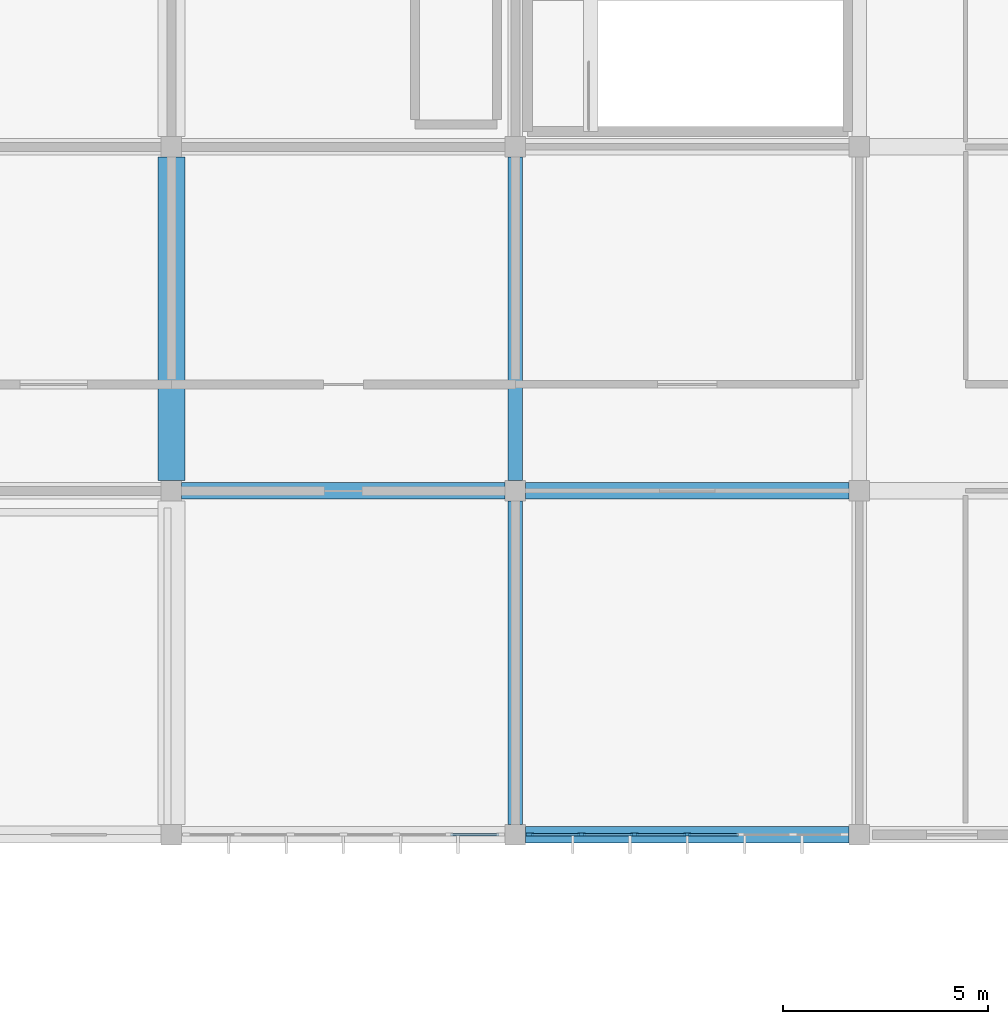
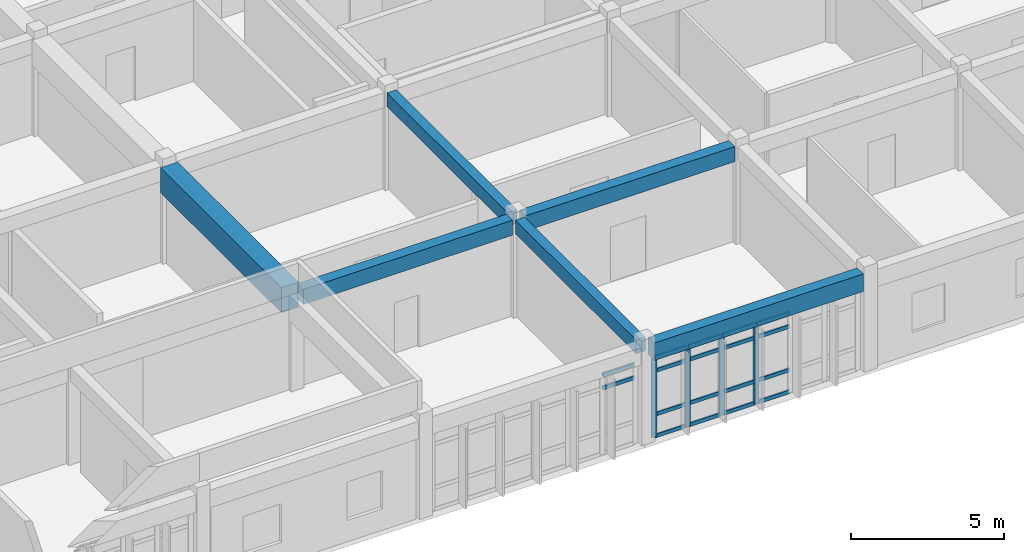
# One storey, part 6 of 119: 22 members, 6 beams, 2 elements without a shape of their own.
"""IFC4 building model written with IfcOpenShell, lengths in metres."""

import ifcopenshell
import ifcopenshell.guid

model = None  # the IFC model being written
_history = None  # IfcOwnerHistory: only IFC2X3 demands one
_inside = {}  # id of a spatial element -> (the spatial element, [elements in it])
_under = {}  # id of a project, library or spatial element -> (it, [spatial elements below it])
_declared = {}  # id of a project -> (the project, [libraries it declares])
_typed = {}  # id of a type object -> (the type object, [elements of that type])
_made_of = {}  # id of a material, layer set ... -> (it, [elements and type objects made of it])


def new_model(schema):
    """Start an empty IFC model of exactly this schema.

    Asked for "IFC4X3", IfcOpenShell would pick the latest addendum, in which some entities
    have other attributes; the version numbers below select the first issue.
    IFC2X3 requires an IfcOwnerHistory on every rooted entity: one is made here for all.
    """
    global model, _history
    if schema == "IFC4X3":
        model = ifcopenshell.file(schema_version=(4, 3, 0, 0))
    else:
        model = ifcopenshell.file(schema=schema)
    _inside.clear()
    _under.clear()
    _declared.clear()
    _typed.clear()
    _made_of.clear()
    _history = None
    if model.schema == "IFC2X3":
        org = make("IfcOrganization", Name="unknown")
        user = make(
            "IfcPersonAndOrganization",
            ThePerson=make("IfcPerson", FamilyName="unknown"),
            TheOrganization=org,
        )
        app = make(
            "IfcApplication",
            ApplicationDeveloper=org,
            Version="unknown",
            ApplicationFullName="unknown",
            ApplicationIdentifier="unknown",
        )
        _history = make(
            "IfcOwnerHistory",
            OwningUser=user,
            OwningApplication=app,
            ChangeAction="ADDED",
            CreationDate=0,
        )
    return model


def make(cls, **values):
    """One entity of the class cls with the attributes given. An attribute that is None is left unset."""
    return model.create_entity(
        cls, **{name: value for name, value in values.items() if value is not None}
    )


def rooted(cls, **values):
    """An entity with a GlobalId (a new one), such as an element, a storey or a relation."""
    return make(cls, GlobalId=ifcopenshell.guid.new(), OwnerHistory=_history, **values)


def si_unit(unit_type, name, prefix=None):
    """IfcSIUnit, for example si_unit("LENGTHUNIT", "METRE", prefix="MILLI")."""
    return make("IfcSIUnit", UnitType=unit_type, Prefix=prefix, Name=name)


def assignment(units):
    """IfcUnitAssignment: the units of a project."""
    return None if units is None else make("IfcUnitAssignment", Units=units)


def point(xyz):
    """IfcCartesianPoint."""
    return None if xyz is None else make("IfcCartesianPoint", Coordinates=xyz)


def direction(xyz):
    """IfcDirection."""
    return None if xyz is None else make("IfcDirection", DirectionRatios=xyz)


def frame(location, z_axis=None, x_axis=None):
    """IfcAxis2Placement3D, a coordinate frame: its origin and axes. An axis left out is left unset."""
    return make(
        "IfcAxis2Placement3D",
        Location=point(location),
        Axis=direction(z_axis),
        RefDirection=direction(x_axis),
    )


def frame_2d(location, x_axis=None):
    """IfcAxis2Placement2D, a coordinate frame in the plane: its origin and x axis."""
    return make(
        "IfcAxis2Placement2D", Location=point(location), RefDirection=direction(x_axis)
    )


def origin():
    """The frame at (0, 0, 0) with its axes left unset."""
    return frame((0.0, 0.0, 0.0))


def origin_2d():
    """The frame at (0, 0) in the plane with its x axis left unset."""
    return frame_2d((0.0, 0.0))


def place(relative_to, where):
    """IfcLocalPlacement: puts the frame where relative to a parent placement (None: the world)."""
    return make(
        "IfcLocalPlacement", PlacementRelTo=relative_to, RelativePlacement=where
    )


def context(
    kind, dimensions, precision=None, world=None, true_north=None, identifier=None
):
    """IfcGeometricRepresentationContext, for example the 3D "Model" context."""
    return make(
        "IfcGeometricRepresentationContext",
        ContextIdentifier=identifier,
        ContextType=kind,
        CoordinateSpaceDimension=dimensions,
        Precision=precision,
        WorldCoordinateSystem=world,
        TrueNorth=true_north,
    )


def subcontext(parent, identifier, kind, view, scale=None):
    """IfcGeometricRepresentationSubContext, for example "Body" below "Model"."""
    return make(
        "IfcGeometricRepresentationSubContext",
        ContextIdentifier=identifier,
        ContextType=kind,
        ParentContext=parent,
        TargetScale=scale,
        TargetView=view,
    )


def project(units=None, contexts=None):
    """IfcProject with its units and contexts."""
    return rooted(
        "IfcProject",
        Name="project",
        RepresentationContexts=contexts,
        UnitsInContext=assignment(units),
    )


def spatial(cls, under=None, at=None, **own):
    """A site, building, storey or space (cls), placed at a placement, below another one or the project."""
    s = rooted(cls, ObjectPlacement=at, **own)
    if under is not None:
        _under.setdefault(under.id(), (under, []))[1].append(s)
    return s


def profile(cls, at=None, kind="AREA", **sizes):
    """A parametric profile (cls). Its sizes go by their IFC names, for example OverallWidth=200.0."""
    return make(cls, ProfileType=kind, Position=at, **sizes)


def rectangle(**sizes):
    """IfcRectangleProfileDef."""
    return profile("IfcRectangleProfileDef", **sizes)


def extrude(swept, where, along, depth):
    """IfcExtrudedAreaSolid: the profile swept, set in the frame where, extruded along a direction by depth."""
    return make(
        "IfcExtrudedAreaSolid",
        SweptArea=swept,
        Position=where,
        ExtrudedDirection=direction(along),
        Depth=depth,
    )


def shape(context_of_items, identifier, shape_type, items):
    """IfcShapeRepresentation: the items that make up one representation, for example the "Body"."""
    return make(
        "IfcShapeRepresentation",
        ContextOfItems=context_of_items,
        RepresentationIdentifier=identifier,
        RepresentationType=shape_type,
        Items=items,
    )


def material(Name=None, Category=None):
    """IfcMaterial."""
    return make("IfcMaterial", Name=Name, Category=Category)


def layer(
    of_material, thickness, ventilated=None, Name=None, Category=None, Priority=None
):
    """IfcMaterialLayer: one layer of a wall or slab, of a material (None: an air gap)."""
    return make(
        "IfcMaterialLayer",
        Material=of_material,
        LayerThickness=thickness,
        IsVentilated=ventilated,
        Name=Name,
        Category=Category,
        Priority=Priority,
    )


def layer_set(layers, Name=None):
    """IfcMaterialLayerSet."""
    return make("IfcMaterialLayerSet", MaterialLayers=layers, LayerSetName=Name)


def material_profile(
    of_material, cross_section, Name=None, Category=None, Priority=None
):
    """IfcMaterialProfile: a cross section and its material."""
    return make(
        "IfcMaterialProfile",
        Name=Name,
        Material=of_material,
        Profile=cross_section,
        Priority=Priority,
        Category=Category,
    )


def profile_set(profiles, Name=None, composite=None):
    """IfcMaterialProfileSet."""
    return make(
        "IfcMaterialProfileSet",
        Name=Name,
        MaterialProfiles=profiles,
        CompositeProfile=composite,
    )


def made_of(thing, what):
    """Note that an element or type object is made of a material, layer set ...; save() writes the relation."""
    if what is not None:
        _made_of.setdefault(what.id(), (what, []))[1].append(thing)
    return thing


def type_object(cls, material=None, **own):
    """A type object (cls), such as IfcWallType, which elements share."""
    return made_of(rooted(cls, **own), material)


def element(
    cls,
    number,
    at=None,
    inside=None,
    cuts=None,
    type_object=None,
    material=None,
    context=None,
    identifier="Body",
    shape_type=None,
    held_by="IfcProductDefinitionShape",
    body=None,
    shapes=None,
    **own,
):
    """One element of the class cls, such as IfcWall. Its Tag is "e" and its number.

    at: its placement. inside: the storey or other place that contains it. cuts: it is an
    opening in that element (IfcRelVoidsElement). A single representation is given by context,
    identifier, shape_type and body (its items); several are given by shapes. held_by: the class
    of the entity that holds the representations. save() writes the other relations.
    """
    e = rooted(cls, Tag="e%d" % number, ObjectPlacement=at, **own)
    if body is not None:
        shapes = [shape(context, identifier, shape_type, body)]
    if shapes is not None:
        e.Representation = make(held_by, Representations=shapes)
    if inside is not None:
        _inside.setdefault(inside.id(), (inside, []))[1].append(e)
    if cuts is not None:
        rooted(
            "IfcRelVoidsElement", RelatingBuildingElement=cuts, RelatedOpeningElement=e
        )
    if type_object is not None:
        _typed.setdefault(type_object.id(), (type_object, []))[1].append(e)
    return made_of(e, material)


def aggregate(whole, parts):
    """IfcRelAggregates: a whole, such as a stair, and the parts it consists of."""
    return rooted("IfcRelAggregates", RelatingObject=whole, RelatedObjects=parts)


def save(model, path):
    """Write the relations noted so far, then the file.

    IfcRelAggregates (storeys below a building ...), IfcRelContainedInSpatialStructure (elements
    in a storey), IfcRelDefinesByType, IfcRelAssociatesMaterial and IfcRelDeclares: one each for
    every whole, place, type object, material and project.
    """
    for whole, parts in _under.values():
        aggregate(whole, parts)
    for where, things in _inside.values():
        rooted(
            "IfcRelContainedInSpatialStructure",
            RelatedElements=things,
            RelatingStructure=where,
        )
    for kind, things in _typed.values():
        rooted("IfcRelDefinesByType", RelatedObjects=things, RelatingType=kind)
    for what, things in _made_of.values():
        rooted("IfcRelAssociatesMaterial", RelatedObjects=things, RelatingMaterial=what)
    for by, libraries in _declared.values():
        rooted("IfcRelDeclares", RelatingContext=by, RelatedDefinitions=libraries)
    model.write(path)


model = new_model("IFC4")

# Units and contexts
model_context = context("Model", 3, precision=1e-05, world=origin(), true_north=direction((0.0, 1.0)))
body_context = subcontext(model_context, "Body", "Model", "MODEL_VIEW")
ifc_project = project(units=[si_unit("LENGTHUNIT", "METRE"), si_unit("AREAUNIT", "SQUARE_METRE"), si_unit("VOLUMEUNIT", "CUBIC_METRE"), si_unit("PLANEANGLEUNIT", "RADIAN"), si_unit("MASSUNIT", "GRAM", prefix="KILO")], contexts=[model_context])

# Site, building, storey
site_placement = place(None, origin())
site = spatial("IfcSite", under=ifc_project, at=site_placement, CompositionType="ELEMENT")
building_placement = place(site_placement, origin())
building = spatial("IfcBuilding", under=site, at=building_placement, Name="Bramfleet General Hospital", CompositionType="ELEMENT")
storey_placement = place(building_placement, frame((0.0, 0.0, 14.39990234375)))
storey = spatial("IfcBuildingStorey", under=building, at=storey_placement, Name="L03", CompositionType="ELEMENT", Elevation=14.39990234375)

# Beams
ifc_material_1 = material(Name="Concrete C35/45", Category="concrete")
ifc_material_profile_1 = material_profile(ifc_material_1, rectangle(XDim=0.35009765625, YDim=0.550048828125, at=origin_2d()), Name="RC BM 550x350")
ifc_profile_set_1 = profile_set([ifc_material_profile_1], Name="Concrete C35/45")
beam_type_1 = type_object("IfcBeamType", Name="BM-RC550", PredefinedType="BEAM", material=ifc_profile_set_1)
beam_1_placement = place(storey_placement, frame((58.800048828125, 50.64990234375, 3.625), z_axis=(0.0, 1.0, 0.0), x_axis=(-1.0, 0.0, 0.0)))
element("IfcBeam", 1, at=beam_1_placement, inside=storey, type_object=beam_type_1, Name="L03 Grid Beam Y 07-06", PredefinedType="BEAM", context=body_context, shape_type="SweptSolid", body=[
    extrude(rectangle(XDim=0.35009765625, YDim=0.550048828125, at=origin_2d()), origin(), (0.0, 0.0, 1.0), 7.900146484375),
])
beam_2_placement = place(storey_placement, frame((58.800048828125, 59.050048828125, 3.614990234375), z_axis=(0.0, 1.0, 0.0), x_axis=(-1.0, 0.0, 0.0)))
element("IfcBeam", 2, at=beam_2_placement, inside=storey, type_object=beam_type_1, Name="L03 Grid Beam Y 07-07", PredefinedType="BEAM", context=body_context, shape_type="SweptSolid", body=[
    extrude(rectangle(XDim=0.35009765625, YDim=0.550048828125, at=origin_2d()), origin(), (0.0, 0.0, 1.0), 7.89990234375),
])
ifc_material_profile_2 = material_profile(ifc_material_1, rectangle(XDim=0.39990234375, YDim=0.60009765625, at=origin_2d()), Name="RC BM 600x400")
ifc_profile_set_2 = profile_set([ifc_material_profile_2], Name="Concrete C35/45")
beam_type_2 = type_object("IfcBeamType", Name="BM-RC600", PredefinedType="BEAM", material=ifc_profile_set_2)
beam_3_placement = place(storey_placement, frame((50.64990234375, 58.800048828125, 3.590087890625), z_axis=(1.0, 0.0, 0.0), x_axis=(0.0, 1.0, 0.0)))
element("IfcBeam", 3, at=beam_3_placement, inside=storey, type_object=beam_type_2, Name="L03 Grid Beam X 06-07", PredefinedType="BEAM", context=body_context, shape_type="SweptSolid", body=[
    extrude(rectangle(XDim=0.39990234375, YDim=0.60009765625, at=origin_2d()), origin(), (0.0, 0.0, 1.0), 7.900146484375),
])
beam_4_placement = place(storey_placement, frame((59.050048828125, 58.800048828125, 3.590087890625), z_axis=(1.0, 0.0, 0.0), x_axis=(0.0, 1.0, 0.0)))
element("IfcBeam", 4, at=beam_4_placement, inside=storey, type_object=beam_type_2, Name="L03 Grid Beam X 07-07", PredefinedType="BEAM", context=body_context, shape_type="SweptSolid", body=[
    extrude(rectangle(XDim=0.39990234375, YDim=0.60009765625, at=origin_2d()), origin(), (0.0, 0.0, 1.0), 7.89990234375),
])
ifc_material_profile_3 = material_profile(ifc_material_1, rectangle(XDim=0.39990234375, YDim=0.699951171875, at=origin_2d()), Name="RC SP 700x400")
ifc_profile_set_3 = profile_set([ifc_material_profile_3], Name="Concrete C35/45")
beam_type_3 = type_object("IfcBeamType", Name="BM-SP700", PredefinedType="SPANDREL", material=ifc_profile_set_3)
beam_5_placement = place(storey_placement, frame((59.050048828125, 50.39990234375, 3.550048828125), z_axis=(1.0, 0.0, 0.0), x_axis=(0.0, 1.0, 0.0)))
element("IfcBeam", 5, at=beam_5_placement, inside=storey, type_object=beam_type_3, Name="L03 Grid Beam X 07-06", PredefinedType="SPANDREL", context=body_context, shape_type="SweptSolid", body=[
    extrude(rectangle(XDim=0.39990234375, YDim=0.699951171875, at=origin_2d()), origin(), (0.0, 0.0, 1.0), 7.89990234375),
])
ifc_material_2 = material(Name="Concrete C40/50", Category="concrete")
ifc_material_profile_4 = material_profile(ifc_material_2, rectangle(XDim=0.64990234375, YDim=1.0, at=origin_2d()), Name="RC TG 1000x650")
ifc_profile_set_4 = profile_set([ifc_material_profile_4], Name="Concrete C40/50")
beam_type_4 = type_object("IfcBeamType", Name="BM-TG1000", PredefinedType="BEAM", material=ifc_profile_set_4)
beam_6_placement = place(storey_placement, frame((50.39990234375, 59.050048828125, 3.39013671875), z_axis=(0.0, 1.0, 0.0), x_axis=(-1.0, 0.0, 0.0)))
element("IfcBeam", 6, at=beam_6_placement, inside=storey, type_object=beam_type_4, Name="L03 Transfer Girder Y 06-07", PredefinedType="BEAM", context=body_context, shape_type="SweptSolid", body=[
    extrude(rectangle(XDim=0.64990234375, YDim=1.0, at=origin_2d()), origin(), (0.0, 0.0, 1.0), 7.89990234375),
])

# Curtain wall, members
ifc_material_3 = material(Name="Anodised aluminium and low-E triple glazing", Category="aluminium")
ifc_layer_1 = layer(ifc_material_3, 0.179931640625, Name="CWT-CW-01")
ifc_layer_set_1 = layer_set([ifc_layer_1], Name="Anodised aluminium and low-E triple glazing")
curtain_wall_type_1 = type_object("IfcCurtainWallType", Name="CWT-CW-01", PredefinedType="USERDEFINED", material=ifc_layer_set_1)
curtain_wall_1_placement = place(storey_placement, origin())
curtain_wall_1 = element("IfcCurtainWall", 7, at=curtain_wall_1_placement, inside=storey, type_object=curtain_wall_type_1, Name="L03 Curtain Wall 181", ObjectType="Unitised curtain wall", PredefinedType="USERDEFINED")
ifc_material_4 = material(Name="Structural timber GL28h", Category="wood")
ifc_material_profile_5 = material_profile(ifc_material_4, rectangle(XDim=0.070068359375, YDim=0.18994140625, at=origin_2d()), Name="LARCH 190x70")
ifc_profile_set_5 = profile_set([ifc_material_profile_5], Name="Structural timber GL28h")
member_type_1 = type_object("IfcMemberType", Name="CWM-LARCH450", PredefinedType="MULLION", material=ifc_profile_set_5)
member_1_placement = place(storey_placement, frame((63.0, 50.39990234375, 0.0), z_axis=(0.0, 0.0, 1.0), x_axis=(0.0, -1.0, 0.0)))
member_1 = element("IfcMember", 8, at=member_1_placement, type_object=member_type_1, Name="CW-01 mullion 4", PredefinedType="MULLION", context=body_context, shape_type="SweptSolid", body=[
    extrude(rectangle(XDim=0.070068359375, YDim=0.18994140625, at=origin_2d()), origin(), (0.0, 0.0, 1.0), 3.190185546875),
])
member_2_placement = place(storey_placement, frame((61.708251953125, 50.39990234375, 0.0), z_axis=(0.0, 0.0, 1.0), x_axis=(0.0, -1.0, 0.0)))
member_2 = element("IfcMember", 9, at=member_2_placement, type_object=member_type_1, Name="CW-01 mullion 5", PredefinedType="MULLION", context=body_context, shape_type="SweptSolid", body=[
    extrude(rectangle(XDim=0.070068359375, YDim=0.18994140625, at=origin_2d()), origin(), (0.0, 0.0, 1.0), 3.190185546875),
])
member_3_placement = place(storey_placement, frame((60.416748046875, 50.39990234375, 0.0), z_axis=(0.0, 0.0, 1.0), x_axis=(0.0, -1.0, 0.0)))
member_3 = element("IfcMember", 10, at=member_3_placement, type_object=member_type_1, Name="CW-01 mullion 6", PredefinedType="MULLION", context=body_context, shape_type="SweptSolid", body=[
    extrude(rectangle(XDim=0.070068359375, YDim=0.18994140625, at=origin_2d()), origin(), (0.0, 0.0, 1.0), 3.190185546875),
])
member_4_placement = place(storey_placement, frame((59.159912109375, 50.39990234375, 0.0), z_axis=(0.0, 0.0, 1.0), x_axis=(0.0, -1.0, 0.0)))
member_4 = element("IfcMember", 11, at=member_4_placement, type_object=member_type_1, Name="CW-01 mullion 7", PredefinedType="MULLION", context=body_context, shape_type="SweptSolid", body=[
    extrude(rectangle(XDim=0.070068359375, YDim=0.18994140625, at=origin_2d()), origin(), (0.0, 0.0, 1.0), 3.190185546875),
])
ifc_material_profile_6 = material_profile(ifc_material_4, rectangle(XDim=0.06494140625, YDim=0.14990234375, at=origin_2d()), Name="LARCH 150x65")
ifc_profile_set_6 = profile_set([ifc_material_profile_6], Name="Structural timber GL28h")
member_type_2 = type_object("IfcMemberType", Name="CWT-LARCH220", PredefinedType="USERDEFINED", material=ifc_profile_set_6)
member_5_placement = place(storey_placement, frame((64.256591796875, 50.39990234375, 0.03271484375), z_axis=(-1.0, 0.0, 0.0), x_axis=(0.0, -1.0, 0.0)))
member_5 = element("IfcMember", 12, at=member_5_placement, type_object=member_type_2, Name="CW-01 transom 3.1", ObjectType="TRANSOM", PredefinedType="USERDEFINED", context=body_context, shape_type="SweptSolid", body=[
    extrude(rectangle(XDim=0.06494140625, YDim=0.14990234375, at=origin_2d()), origin(), (0.0, 0.0, 1.0), 1.2216796875),
])
member_6_placement = place(storey_placement, frame((64.256591796875, 50.39990234375, 0.900146484375), z_axis=(-1.0, 0.0, 0.0), x_axis=(0.0, -1.0, 0.0)))
member_6 = element("IfcMember", 13, at=member_6_placement, type_object=member_type_2, Name="CW-01 transom 3.2", ObjectType="TRANSOM", PredefinedType="USERDEFINED", context=body_context, shape_type="SweptSolid", body=[
    extrude(rectangle(XDim=0.06494140625, YDim=0.14990234375, at=origin_2d()), origin(), (0.0, 0.0, 1.0), 1.2216796875),
])
member_7_placement = place(storey_placement, frame((64.256591796875, 50.39990234375, 2.64013671875), z_axis=(-1.0, 0.0, 0.0), x_axis=(0.0, -1.0, 0.0)))
member_7 = element("IfcMember", 14, at=member_7_placement, type_object=member_type_2, Name="CW-01 transom 3.3", ObjectType="TRANSOM", PredefinedType="USERDEFINED", context=body_context, shape_type="SweptSolid", body=[
    extrude(rectangle(XDim=0.06494140625, YDim=0.14990234375, at=origin_2d()), origin(), (0.0, 0.0, 1.0), 1.2216796875),
])
member_8_placement = place(storey_placement, frame((64.256591796875, 50.39990234375, 3.15771484375), z_axis=(-1.0, 0.0, 0.0), x_axis=(0.0, -1.0, 0.0)))
member_8 = element("IfcMember", 15, at=member_8_placement, type_object=member_type_2, Name="CW-01 transom 3.4", ObjectType="TRANSOM", PredefinedType="USERDEFINED", context=body_context, shape_type="SweptSolid", body=[
    extrude(rectangle(XDim=0.06494140625, YDim=0.14990234375, at=origin_2d()), origin(), (0.0, 0.0, 1.0), 1.2216796875),
])
member_9_placement = place(storey_placement, frame((62.965087890625, 50.39990234375, 0.03271484375), z_axis=(-1.0, 0.0, 0.0), x_axis=(0.0, -1.0, 0.0)))
member_9 = element("IfcMember", 16, at=member_9_placement, type_object=member_type_2, Name="CW-01 transom 4.1", ObjectType="TRANSOM", PredefinedType="USERDEFINED", context=body_context, shape_type="SweptSolid", body=[
    extrude(rectangle(XDim=0.06494140625, YDim=0.14990234375, at=origin_2d()), origin(), (0.0, 0.0, 1.0), 1.2216796875),
])
member_10_placement = place(storey_placement, frame((62.965087890625, 50.39990234375, 0.900146484375), z_axis=(-1.0, 0.0, 0.0), x_axis=(0.0, -1.0, 0.0)))
member_10 = element("IfcMember", 17, at=member_10_placement, type_object=member_type_2, Name="CW-01 transom 4.2", ObjectType="TRANSOM", PredefinedType="USERDEFINED", context=body_context, shape_type="SweptSolid", body=[
    extrude(rectangle(XDim=0.06494140625, YDim=0.14990234375, at=origin_2d()), origin(), (0.0, 0.0, 1.0), 1.2216796875),
])
member_11_placement = place(storey_placement, frame((62.965087890625, 50.39990234375, 2.64013671875), z_axis=(-1.0, 0.0, 0.0), x_axis=(0.0, -1.0, 0.0)))
member_11 = element("IfcMember", 18, at=member_11_placement, type_object=member_type_2, Name="CW-01 transom 4.3", ObjectType="TRANSOM", PredefinedType="USERDEFINED", context=body_context, shape_type="SweptSolid", body=[
    extrude(rectangle(XDim=0.06494140625, YDim=0.14990234375, at=origin_2d()), origin(), (0.0, 0.0, 1.0), 1.2216796875),
])
member_12_placement = place(storey_placement, frame((62.965087890625, 50.39990234375, 3.15771484375), z_axis=(-1.0, 0.0, 0.0), x_axis=(0.0, -1.0, 0.0)))
member_12 = element("IfcMember", 19, at=member_12_placement, type_object=member_type_2, Name="CW-01 transom 4.4", ObjectType="TRANSOM", PredefinedType="USERDEFINED", context=body_context, shape_type="SweptSolid", body=[
    extrude(rectangle(XDim=0.06494140625, YDim=0.14990234375, at=origin_2d()), origin(), (0.0, 0.0, 1.0), 1.2216796875),
])
member_13_placement = place(storey_placement, frame((61.67333984375, 50.39990234375, 0.03271484375), z_axis=(-1.0, 0.0, 0.0), x_axis=(0.0, -1.0, 0.0)))
member_13 = element("IfcMember", 20, at=member_13_placement, type_object=member_type_2, Name="CW-01 transom 5.1", ObjectType="TRANSOM", PredefinedType="USERDEFINED", context=body_context, shape_type="SweptSolid", body=[
    extrude(rectangle(XDim=0.06494140625, YDim=0.14990234375, at=origin_2d()), origin(), (0.0, 0.0, 1.0), 1.2216796875),
])
member_14_placement = place(storey_placement, frame((61.67333984375, 50.39990234375, 0.900146484375), z_axis=(-1.0, 0.0, 0.0), x_axis=(0.0, -1.0, 0.0)))
member_14 = element("IfcMember", 21, at=member_14_placement, type_object=member_type_2, Name="CW-01 transom 5.2", ObjectType="TRANSOM", PredefinedType="USERDEFINED", context=body_context, shape_type="SweptSolid", body=[
    extrude(rectangle(XDim=0.06494140625, YDim=0.14990234375, at=origin_2d()), origin(), (0.0, 0.0, 1.0), 1.2216796875),
])
member_15_placement = place(storey_placement, frame((61.67333984375, 50.39990234375, 2.64013671875), z_axis=(-1.0, 0.0, 0.0), x_axis=(0.0, -1.0, 0.0)))
member_15 = element("IfcMember", 22, at=member_15_placement, type_object=member_type_2, Name="CW-01 transom 5.3", ObjectType="TRANSOM", PredefinedType="USERDEFINED", context=body_context, shape_type="SweptSolid", body=[
    extrude(rectangle(XDim=0.06494140625, YDim=0.14990234375, at=origin_2d()), origin(), (0.0, 0.0, 1.0), 1.2216796875),
])
member_16_placement = place(storey_placement, frame((61.67333984375, 50.39990234375, 3.15771484375), z_axis=(-1.0, 0.0, 0.0), x_axis=(0.0, -1.0, 0.0)))
member_16 = element("IfcMember", 23, at=member_16_placement, type_object=member_type_2, Name="CW-01 transom 5.4", ObjectType="TRANSOM", PredefinedType="USERDEFINED", context=body_context, shape_type="SweptSolid", body=[
    extrude(rectangle(XDim=0.06494140625, YDim=0.14990234375, at=origin_2d()), origin(), (0.0, 0.0, 1.0), 1.2216796875),
])
member_17_placement = place(storey_placement, frame((60.381591796875, 50.39990234375, 0.03271484375), z_axis=(-1.0, 0.0, 0.0), x_axis=(0.0, -1.0, 0.0)))
member_17 = element("IfcMember", 24, at=member_17_placement, type_object=member_type_2, Name="CW-01 transom 6.1", ObjectType="TRANSOM", PredefinedType="USERDEFINED", context=body_context, shape_type="SweptSolid", body=[
    extrude(rectangle(XDim=0.06494140625, YDim=0.14990234375, at=origin_2d()), origin(), (0.0, 0.0, 1.0), 1.1865234375),
])
member_18_placement = place(storey_placement, frame((60.381591796875, 50.39990234375, 0.900146484375), z_axis=(-1.0, 0.0, 0.0), x_axis=(0.0, -1.0, 0.0)))
member_18 = element("IfcMember", 25, at=member_18_placement, type_object=member_type_2, Name="CW-01 transom 6.2", ObjectType="TRANSOM", PredefinedType="USERDEFINED", context=body_context, shape_type="SweptSolid", body=[
    extrude(rectangle(XDim=0.06494140625, YDim=0.14990234375, at=origin_2d()), origin(), (0.0, 0.0, 1.0), 1.1865234375),
])
member_19_placement = place(storey_placement, frame((60.381591796875, 50.39990234375, 2.64013671875), z_axis=(-1.0, 0.0, 0.0), x_axis=(0.0, -1.0, 0.0)))
member_19 = element("IfcMember", 26, at=member_19_placement, type_object=member_type_2, Name="CW-01 transom 6.3", ObjectType="TRANSOM", PredefinedType="USERDEFINED", context=body_context, shape_type="SweptSolid", body=[
    extrude(rectangle(XDim=0.06494140625, YDim=0.14990234375, at=origin_2d()), origin(), (0.0, 0.0, 1.0), 1.1865234375),
])
member_20_placement = place(storey_placement, frame((60.381591796875, 50.39990234375, 3.15771484375), z_axis=(-1.0, 0.0, 0.0), x_axis=(0.0, -1.0, 0.0)))
member_20 = element("IfcMember", 27, at=member_20_placement, type_object=member_type_2, Name="CW-01 transom 6.4", ObjectType="TRANSOM", PredefinedType="USERDEFINED", context=body_context, shape_type="SweptSolid", body=[
    extrude(rectangle(XDim=0.06494140625, YDim=0.14990234375, at=origin_2d()), origin(), (0.0, 0.0, 1.0), 1.1865234375),
])
aggregate(curtain_wall_1, [member_1, member_2, member_3, member_4, member_5, member_6, member_7, member_8, member_9, member_10, member_11, member_12, member_13, member_14, member_15, member_16, member_17, member_18, member_19, member_20])

ifc_layer_2 = layer(ifc_material_3, 0.179931640625, Name="CWT-CW-02")
ifc_layer_set_2 = layer_set([ifc_layer_2], Name="Anodised aluminium and low-E triple glazing")
curtain_wall_type_2 = type_object("IfcCurtainWallType", Name="CWT-CW-02", PredefinedType="USERDEFINED", material=ifc_layer_set_2)
curtain_wall_2_placement = place(storey_placement, origin())
curtain_wall_2 = element("IfcCurtainWall", 28, at=curtain_wall_2_placement, inside=storey, type_object=curtain_wall_type_2, Name="L03 Curtain Wall 182", ObjectType="Unitised curtain wall", PredefinedType="USERDEFINED")
member_21_placement = place(storey_placement, frame((58.405029296875, 50.39990234375, 2.64013671875), z_axis=(-1.0, 0.0, 0.0), x_axis=(0.0, -1.0, 0.0)))
member_21 = element("IfcMember", 29, at=member_21_placement, type_object=member_type_2, Name="CW-02 transom 1.3", ObjectType="TRANSOM", PredefinedType="USERDEFINED", context=body_context, shape_type="SweptSolid", body=[
    extrude(rectangle(XDim=0.06494140625, YDim=0.14990234375, at=origin_2d()), origin(), (0.0, 0.0, 1.0), 1.186767578125),
])
member_22_placement = place(storey_placement, frame((58.405029296875, 50.39990234375, 3.15771484375), z_axis=(-1.0, 0.0, 0.0), x_axis=(0.0, -1.0, 0.0)))
member_22 = element("IfcMember", 30, at=member_22_placement, type_object=member_type_2, Name="CW-02 transom 1.4", ObjectType="TRANSOM", PredefinedType="USERDEFINED", context=body_context, shape_type="SweptSolid", body=[
    extrude(rectangle(XDim=0.06494140625, YDim=0.14990234375, at=origin_2d()), origin(), (0.0, 0.0, 1.0), 1.186767578125),
])
aggregate(curtain_wall_2, [member_21, member_22])

save(model, "model.ifc")
